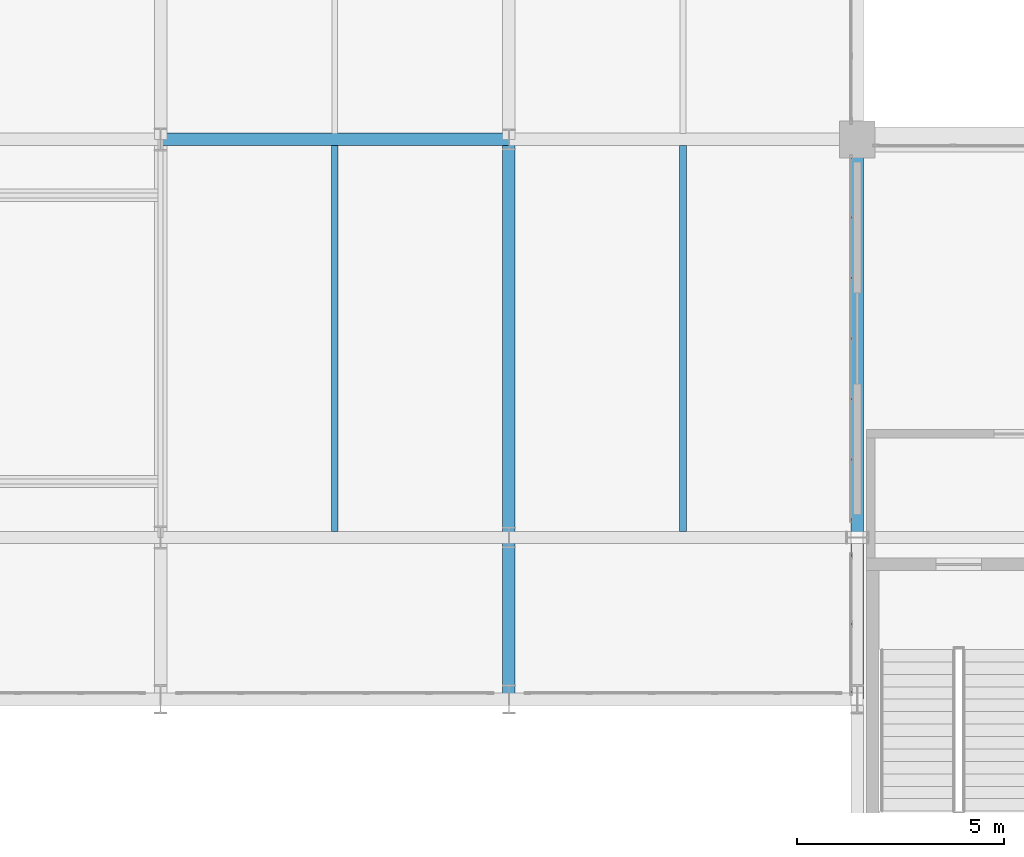
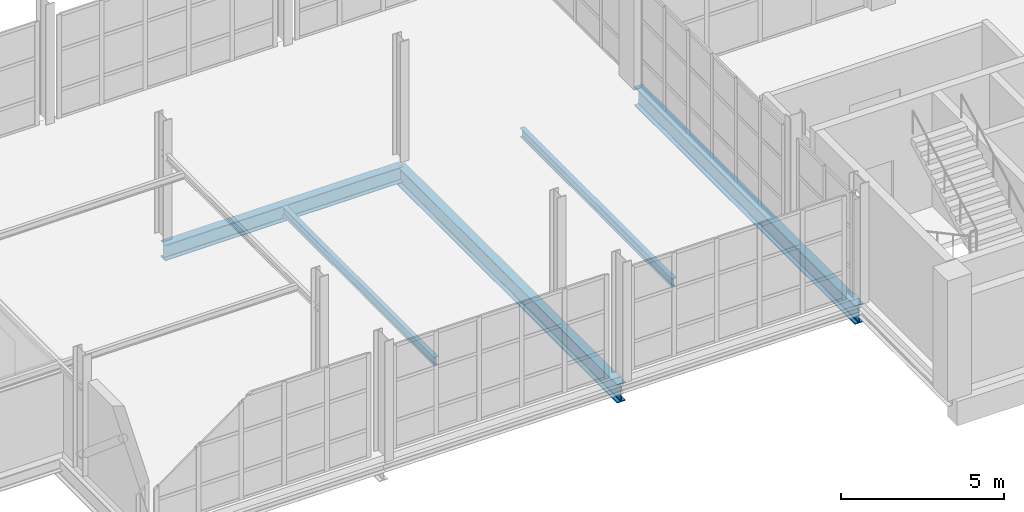
# One storey, part 18 of 109: 5 beams.
"""IFC4 building model written with IfcOpenShell, lengths in metres."""

from ifc_helpers import new_model, si_unit, direction, frame, origin, origin_2d, place, context, subcontext, project, spatial, i_section, extrude, material, material_profile, profile_set, type_object, element, save


model = new_model("IFC4")

# Units and contexts
model_context = context("Model", 3, precision=1e-05, world=origin(), true_north=direction((0.0, 1.0)))
body_context = subcontext(model_context, "Body", "Model", "MODEL_VIEW")
ifc_project = project(units=[si_unit("LENGTHUNIT", "METRE"), si_unit("AREAUNIT", "SQUARE_METRE"), si_unit("VOLUMEUNIT", "CUBIC_METRE"), si_unit("PLANEANGLEUNIT", "RADIAN"), si_unit("MASSUNIT", "GRAM", prefix="KILO")], contexts=[model_context])

# Site, building, storey
site_placement = place(None, origin())
site = spatial("IfcSite", under=ifc_project, at=site_placement, CompositionType="ELEMENT")
building_placement = place(site_placement, origin())
building = spatial("IfcBuilding", under=site, at=building_placement, Name="Veltarok Museum of Natural Sciences", CompositionType="ELEMENT")
storey_placement = place(building_placement, frame((0.0, 0.0, 17.39990234375)))
storey = spatial("IfcBuildingStorey", under=building, at=storey_placement, Name="L03", CompositionType="ELEMENT", Elevation=17.39990234375)

# Beams
ifc_material = material(Name="Steel S355J2", Category="steel")
ifc_material_profile_1 = material_profile(ifc_material, i_section(OverallWidth=0.300048828125, OverallDepth=0.590087890625, WebThickness=0.012939453125, FlangeThickness=0.02490234375, FilletRadius=0.027099609375, at=origin_2d()), Name="HEA 600")
ifc_profile_set_1 = profile_set([ifc_material_profile_1], Name="Steel S355J2")
beam_type_1 = type_object("IfcBeamType", Name="Heavy Archive Girder HEA 600", PredefinedType="BEAM", material=ifc_profile_set_1)
beam_placement = place(storey_placement, frame((14.800048828125, 19.199951171875, -0.544921875), z_axis=(1.0, 0.0, 0.0), x_axis=(0.0, 1.0, 0.0)))
element("IfcBeam", 1, at=beam_placement, inside=storey, type_object=beam_type_1, Name="Beam BM-G07 L03 2-3/C", PredefinedType="BEAM", context=body_context, shape_type="SweptSolid", body=[
    extrude(i_section(OverallWidth=0.300048828125, OverallDepth=0.590087890625, WebThickness=0.012939453125, FlangeThickness=0.02490234375, FilletRadius=0.027099609375, at=origin_2d()), origin(), (0.0, 0.0, 1.0), 8.39990234375),
])
ifc_material_profile_2 = material_profile(ifc_material, i_section(OverallWidth=0.300048828125, OverallDepth=0.699951171875, WebThickness=0.01708984375, FlangeThickness=0.031982421875, FilletRadius=0.027099609375, at=origin_2d()), Name="HEB 700")
ifc_profile_set_2 = profile_set([ifc_material_profile_2], Name="Steel S355J2")
beam_type_2 = type_object("IfcBeamType", Name="Long-Span Hall Girder HEB 700", PredefinedType="BEAM", material=ifc_profile_set_2)
for number, where, z_axis, x_axis, name in (
    (2, (23.199951171875, 5.699951171875, -0.599853515625), (0.0, 1.0, 0.0), (-1.0, 0.0, 0.0), "Bridge Cantilever Girder L03 3"),
    (3, (31.60009765625, 5.699951171875, -0.599853515625), (0.0, 1.0, 0.0), (-1.0, 0.0, 0.0), "Bridge Cantilever Girder L03 4"),
):
    element("IfcBeam", number, at=place(storey_placement, frame(where, z_axis=z_axis, x_axis=x_axis)), inside=storey, type_object=beam_type_2, Name=name, PredefinedType="BEAM", context=body_context, shape_type="SweptSolid", body=[
        extrude(i_section(OverallWidth=0.300048828125, OverallDepth=0.699951171875, WebThickness=0.01708984375, FlangeThickness=0.031982421875, FilletRadius=0.027099609375, at=origin_2d()), origin(), (0.0, 0.0, 1.0), 13.5),
    ])
ifc_material_profile_3 = material_profile(ifc_material, i_section(OverallWidth=0.159912109375, OverallDepth=0.330078125, WebThickness=0.007568359375, FlangeThickness=0.011474609375, FilletRadius=0.01806640625, at=origin_2d()), Name="IPE 330")
ifc_profile_set_3 = profile_set([ifc_material_profile_3], Name="Steel S355J2")
beam_type_3 = type_object("IfcBeamType", Name="Medium-Bay Composite Joist IPE 330", PredefinedType="JOIST", material=ifc_profile_set_3)
for number, where, z_axis, x_axis, name in (
    (4, (19.0, 9.748046875, -0.414794921875), (0.0, 1.0, 0.0), (-1.0, 0.0, 0.0), "Secondary Joist BM-J02 L03 2-3/B-C.1"),
    (5, (27.39990234375, 9.748046875, -0.414794921875), (0.0, 1.0, 0.0), (-1.0, 0.0, 0.0), "Secondary Joist BM-J02 L03 3-4/B-C.1"),
):
    element("IfcBeam", number, at=place(storey_placement, frame(where, z_axis=z_axis, x_axis=x_axis)), inside=storey, type_object=beam_type_3, Name=name, PredefinedType="JOIST", context=body_context, shape_type="SweptSolid", body=[
        extrude(i_section(OverallWidth=0.159912109375, OverallDepth=0.330078125, WebThickness=0.007568359375, FlangeThickness=0.011474609375, FilletRadius=0.01806640625, at=origin_2d()), origin(), (0.0, 0.0, 1.0), 9.303955078125),
    ])

save(model, "model.ifc")
